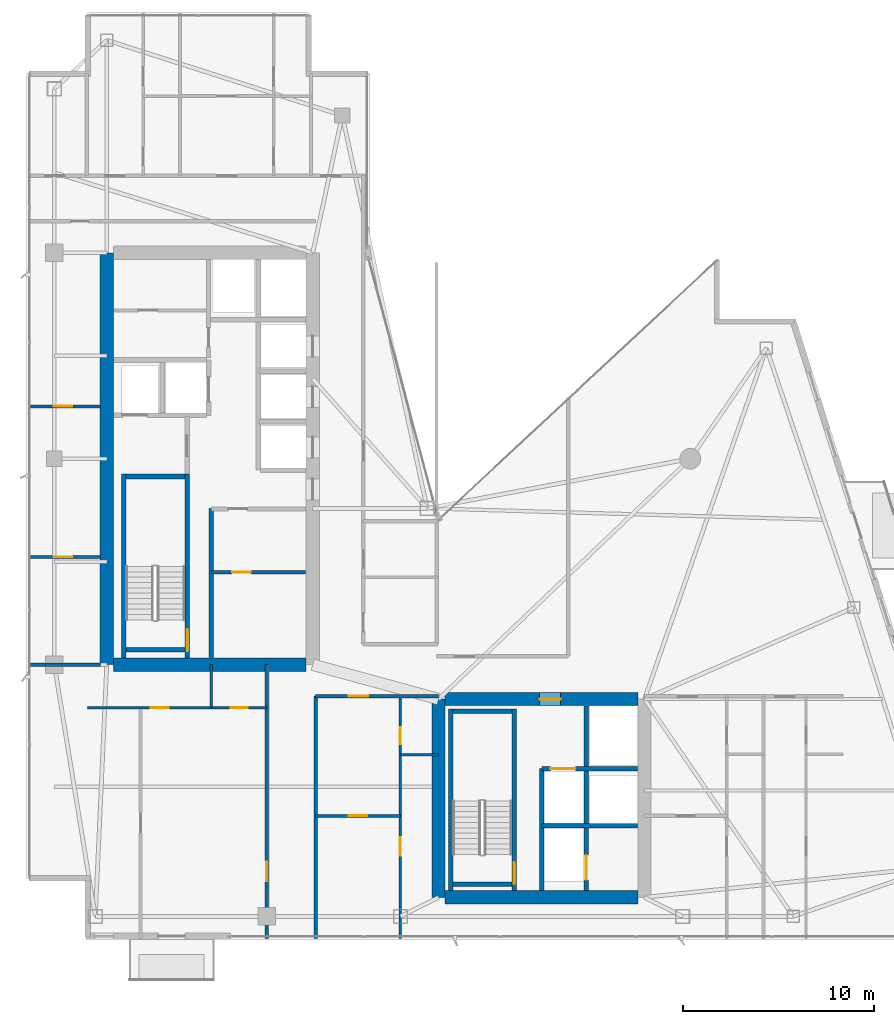
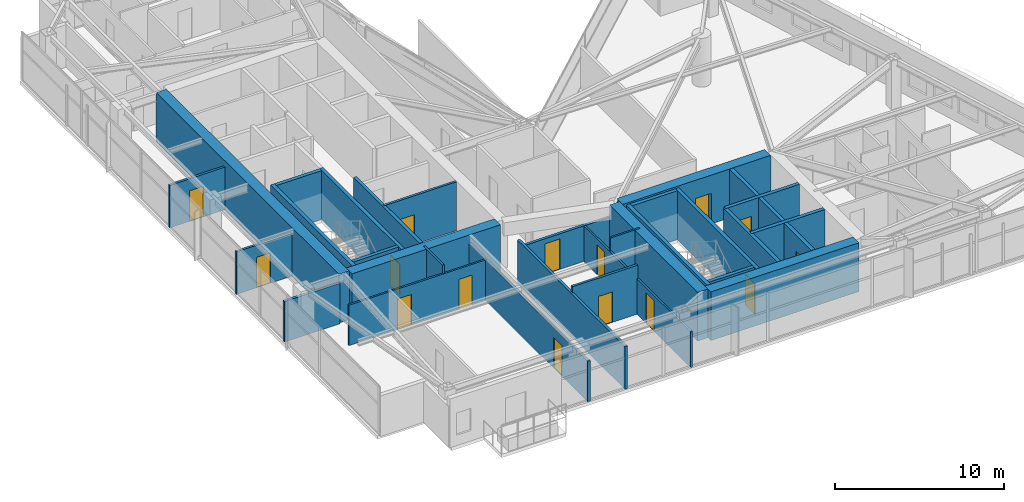
# One storey, part 22 of 27: 30 walls, 15 doors, 15 openings.
"""IFC4 building model written with IfcOpenShell, lengths in metres."""

from ifc_helpers import new_model, si_unit, direction, frame, frame_2d, origin, place, context, subcontext, project, spatial, rectangle, extrude, material, layer, layer_set, type_object, element, fill, save


model = new_model("IFC4")

# Units and contexts
model_context = context("Model", 3, precision=1e-05, world=origin(), true_north=direction((0.0, 1.0)))
body_context = subcontext(model_context, "Body", "Model", "MODEL_VIEW")
ifc_project = project(units=[si_unit("LENGTHUNIT", "METRE"), si_unit("AREAUNIT", "SQUARE_METRE"), si_unit("VOLUMEUNIT", "CUBIC_METRE"), si_unit("PLANEANGLEUNIT", "RADIAN"), si_unit("MASSUNIT", "GRAM", prefix="KILO")], contexts=[model_context])

# Site, building, storey
site_placement = place(None, origin())
site = spatial("IfcSite", under=ifc_project, at=site_placement, CompositionType="ELEMENT")
building_placement = place(site_placement, origin())
building = spatial("IfcBuilding", under=site, at=building_placement, Name="Calvorn Quay Hotel", CompositionType="ELEMENT")
storey_placement = place(building_placement, frame((0.0, 0.0, 230.699951171875)))
storey = spatial("IfcBuildingStorey", under=building, at=storey_placement, Name="L57", CompositionType="ELEMENT", Elevation=230.699951171875)

# Walls
ifc_material_1 = material(Name="Concrete C45", Category="concrete")
ifc_layer_1 = layer(ifc_material_1, 0.699951171875)
ifc_layer_set_1 = layer_set([ifc_layer_1], Name="WL-CORE-700")
wall_type_1 = type_object("IfcWallType", Name="WL-CORE-700", PredefinedType="SHEAR", material=ifc_layer_set_1)
wall_1_placement = place(storey_placement, frame((4.199951171875, 16.800048828125, 0.0), z_axis=(0.0, 0.0, 1.0), x_axis=(0.0, 1.0, 0.0)))
element("IfcWall", 1, at=wall_1_placement, inside=storey, type_object=wall_type_1, Name="West Core Shear Wall W (L57)", PredefinedType="SHEAR", context=body_context, shape_type="SweptSolid", body=[
    extrude(rectangle(XDim=21.599853515625, YDim=0.699951171875, at=frame_2d((10.7998046875, 0.0))), origin(), (0.0, 0.0, 1.0), 3.52001953125),
])
wall_2_placement = place(storey_placement, frame((4.550048828125, 16.800048828125, 0.0), z_axis=(0.0, 0.0, 1.0), x_axis=(1.0, 0.0, 0.0)))
element("IfcWall", 2, at=wall_2_placement, inside=storey, type_object=wall_type_1, Name="West Core Shear Wall S (L57)", PredefinedType="SHEAR", context=body_context, shape_type="SweptSolid", body=[
    extrude(rectangle(XDim=10.099853515625, YDim=0.699951171875, at=frame_2d((5.0498046875, 0.0))), origin(), (0.0, 0.0, 1.0), 3.52001953125),
])
wall_3_placement = place(storey_placement, frame((21.60009765625, 4.60009765625, 0.0), z_axis=(0.0, 0.0, 1.0), x_axis=(0.0, 1.0, 0.0)))
element("IfcWall", 3, at=wall_3_placement, inside=storey, type_object=wall_type_1, Name="East Core Shear Wall W (L57)", PredefinedType="SHEAR", context=body_context, shape_type="SweptSolid", body=[
    extrude(rectangle(XDim=10.39990234375, YDim=0.699951171875, at=frame_2d((5.199951171875, 0.0))), origin(), (0.0, 0.0, 1.0), 3.52001953125),
])

# Wall, opening, door
wall_4_placement = place(storey_placement, frame((21.949951171875, 15.0, 0.0), z_axis=(0.0, 0.0, 1.0), x_axis=(1.0, 0.0, 0.0)))
wall_4 = element("IfcWall", 4, at=wall_4_placement, inside=storey, type_object=wall_type_1, Name="East Core Shear Wall N (L57)", PredefinedType="SHEAR", context=body_context, shape_type="SweptSolid", body=[
    extrude(rectangle(XDim=10.10009765625, YDim=0.699951171875, at=frame_2d((5.050048828125, 0.0))), origin(), (0.0, 0.0, 1.0), 3.52001953125),
])
opening_1_placement = place(wall_4_placement, frame((4.949951171875, 0.0, 0.0)))
opening_1 = element("IfcOpeningElement", 5, at=opening_1_placement, cuts=wall_4, Name="Opening D-L57-FLE", PredefinedType="OPENING", context=body_context, shape_type="SweptSolid", body=[
    extrude(rectangle(XDim=1.10009765625, YDim=2.199951171875, at=frame_2d((0.550048828125, 1.10009765625))), frame((0.0, 0.35986328125, 0.0), z_axis=(0.0, -1.0, 0.0), x_axis=(1.0, 0.0, 0.0)), (0.0, 0.0, 1.0), 0.719970703125),
])
ifc_material_2 = material(Name="Smoke-Sealed Steel Class A Fire Door", Category="steel")
door_type_1 = type_object("IfcDoorType", Name="DR-FFLOBBY-1100", OperationType="NOTDEFINED", PredefinedType="DOOR", material=ifc_material_2)
door_1_placement = place(opening_1_placement, origin())
door_1 = element("IfcDoor", 6, at=door_1_placement, inside=storey, type_object=door_type_1, Name="East Firefighting Lobby Fire Door (L57)", OperationType="SINGLE_SWING_LEFT", OverallHeight=2.199951171875, OverallWidth=1.10009765625, PredefinedType="DOOR", context=body_context, shape_type="SweptSolid", body=[
    extrude(rectangle(XDim=1.10009765625, YDim=2.199951171875, at=frame_2d((0.550048828125, 1.10009765625))), frame((0.0, 0.02490234375, 0.0), z_axis=(0.0, -1.0, 0.0), x_axis=(1.0, 0.0, 0.0)), (0.0, 0.0, 1.0), 0.050048828125),
])
fill(opening_1, door_1)

# Walls
wall_5_placement = place(storey_placement, frame((21.949951171875, 4.60009765625, 0.0), z_axis=(0.0, 0.0, 1.0), x_axis=(1.0, 0.0, 0.0)))
element("IfcWall", 7, at=wall_5_placement, inside=storey, type_object=wall_type_1, Name="East Core Shear Wall S (L57)", PredefinedType="SHEAR", context=body_context, shape_type="SweptSolid", body=[
    extrude(rectangle(XDim=10.10009765625, YDim=0.699951171875, at=frame_2d((5.050048828125, 0.0))), origin(), (0.0, 0.0, 1.0), 3.52001953125),
])
ifc_material_3 = material(Name="Acoustic Fireboard Steel-Stud Partition", Category="steel")
ifc_layer_2 = layer(ifc_material_3, 0.179931640625)
ifc_layer_set_2 = layer_set([ifc_layer_2], Name="WL-CORR-FIRE-180")
wall_type_2 = type_object("IfcWallType", Name="WL-CORR-FIRE-180", PredefinedType="PARTITIONING", material=ifc_layer_set_2)
wall_6_placement = place(storey_placement, frame((0.080078125, 16.800048828125, 0.0), z_axis=(0.0, 0.0, 1.0), x_axis=(1.0, 0.0, 0.0)))
element("IfcWall", 8, at=wall_6_placement, inside=storey, type_object=wall_type_2, Name="Partition Wall L57-WL-WBAY-S-WALL", PredefinedType="PARTITIONING", context=body_context, shape_type="SweptSolid", body=[
    extrude(rectangle(XDim=3.7998046875, YDim=0.179931640625, at=frame_2d((1.89990234375, 0.0))), origin(), (0.0, 0.0, 1.0), 2.920166015625),
])

# Wall, opening, door
wall_7_placement = place(storey_placement, frame((12.60009765625, 2.43994140625, 0.0), z_axis=(0.0, 0.0, 1.0), x_axis=(0.0, 1.0, 0.0)))
wall_7 = element("IfcWall", 9, at=wall_7_placement, inside=storey, type_object=wall_type_2, Name="Partition Wall L57-WL-CORR-SW-LEG-W", PredefinedType="PARTITIONING", context=body_context, shape_type="SweptSolid", body=[
    extrude(rectangle(XDim=14.360107421875, YDim=0.179931640625, at=frame_2d((7.18017578125, 0.0))), origin(), (0.0, 0.0, 1.0), 2.920166015625),
])
opening_2_placement = place(wall_7_placement, frame((3.010009765625, 0.0, 0.0)))
opening_2 = element("IfcOpeningElement", 10, at=opening_2_placement, cuts=wall_7, Name="Opening D-L57-U01", PredefinedType="OPENING", context=body_context, shape_type="SweptSolid", body=[
    extrude(rectangle(XDim=1.02001953125, YDim=2.199951171875, at=frame_2d((0.510009765625, 1.10009765625))), frame((0.0, 0.099853515625, 0.0), z_axis=(0.0, -1.0, 0.0), x_axis=(1.0, 0.0, 0.0)), (0.0, 0.0, 1.0), 0.199951171875),
])
ifc_material_4 = material(Name="Solid-Core Walnut Veneer Hotel Fire Door")
door_type_2 = type_object("IfcDoorType", Name="DR-GUEST-ENTRY-1020", OperationType="NOTDEFINED", PredefinedType="DOOR", material=ifc_material_4)
door_2_placement = place(opening_2_placement, origin())
door_2 = element("IfcDoor", 11, at=door_2_placement, inside=storey, type_object=door_type_2, Name="South-West Unit Door U01 (L57)", OperationType="SINGLE_SWING_LEFT", OverallHeight=2.199951171875, OverallWidth=1.02001953125, PredefinedType="DOOR", context=body_context, shape_type="SweptSolid", body=[
    extrude(rectangle(XDim=1.02001953125, YDim=2.199951171875, at=frame_2d((0.510009765625, 1.10009765625))), frame((0.0, 0.02490234375, 0.0), z_axis=(0.0, -1.0, 0.0), x_axis=(1.0, 0.0, 0.0)), (0.0, 0.0, 1.0), 0.050048828125),
])
fill(opening_2, door_2)

# Wall
wall_8_placement = place(storey_placement, frame((15.14990234375, 2.43994140625, 0.0), z_axis=(0.0, 0.0, 1.0), x_axis=(0.0, 1.0, 0.0)))
element("IfcWall", 12, at=wall_8_placement, inside=storey, type_object=wall_type_2, Name="Partition Wall L57-WL-CORR-SW-W", PredefinedType="PARTITIONING", context=body_context, shape_type="SweptSolid", body=[
    extrude(rectangle(XDim=12.7099609375, YDim=0.179931640625, at=frame_2d((6.35498046875, 0.0))), origin(), (0.0, 0.0, 1.0), 3.070068359375),
])

# Wall, opening, door
wall_9_placement = place(storey_placement, frame((15.14990234375, 15.14990234375, 0.0), z_axis=(0.0, 0.0, 1.0), x_axis=(1.0, 0.0, 0.0)))
wall_9 = element("IfcWall", 13, at=wall_9_placement, inside=storey, type_object=wall_type_2, Name="Partition Wall L57-WL-SC-CORR-S", PredefinedType="PARTITIONING", context=body_context, shape_type="SweptSolid", body=[
    extrude(rectangle(XDim=6.4501953125, YDim=0.179931640625, at=frame_2d((3.22509765625, 0.0))), origin(), (0.0, 0.0, 1.0), 2.570068359375),
])
opening_3_placement = place(wall_9_placement, frame((1.739990234375, 0.0, 0.0)))
opening_3 = element("IfcOpeningElement", 14, at=opening_3_placement, cuts=wall_9, Name="Opening D-L57-U02", PredefinedType="OPENING", context=body_context, shape_type="SweptSolid", body=[
    extrude(rectangle(XDim=1.02001953125, YDim=2.199951171875, at=frame_2d((0.510009765625, 1.10009765625))), frame((0.0, 0.099853515625, 0.0), z_axis=(0.0, -1.0, 0.0), x_axis=(1.0, 0.0, 0.0)), (0.0, 0.0, 1.0), 0.199951171875),
])
door_3_placement = place(opening_3_placement, origin())
door_3 = element("IfcDoor", 15, at=door_3_placement, inside=storey, type_object=door_type_2, Name="Harbour Central Unit Door (L57)", OperationType="SINGLE_SWING_LEFT", OverallHeight=2.199951171875, OverallWidth=1.02001953125, PredefinedType="DOOR", context=body_context, shape_type="SweptSolid", body=[
    extrude(rectangle(XDim=1.02001953125, YDim=2.199951171875, at=frame_2d((0.510009765625, 1.10009765625))), frame((0.0, 0.02490234375, 0.0), z_axis=(0.0, -1.0, 0.0), x_axis=(1.0, 0.0, 0.0)), (0.0, 0.0, 1.0), 0.050048828125),
])
fill(opening_3, door_3)

# Wall
ifc_material_5 = material(Name="Moisture-Resistant Tile-Backed Partition")
ifc_layer_3 = layer(ifc_material_5, 0.125)
ifc_layer_set_3 = layer_set([ifc_layer_3], Name="WL-ENSUITE-125")
wall_type_3 = type_object("IfcWallType", Name="WL-ENSUITE-125", PredefinedType="PARTITIONING", material=ifc_layer_set_3)
wall_10_placement = place(storey_placement, frame((9.679931640625, 14.550048828125, 0.0), z_axis=(0.0, 0.0, 1.0), x_axis=(0.0, 1.0, 0.0)))
element("IfcWall", 16, at=wall_10_placement, inside=storey, type_object=wall_type_3, Name="Partition Wall L57-WL-U01-BDV", PredefinedType="PARTITIONING", context=body_context, shape_type="SweptSolid", body=[
    extrude(rectangle(XDim=2.25, YDim=0.125, at=frame_2d((1.125, 0.0))), origin(), (0.0, 0.0, 1.0), 3.52001953125),
])

# Wall, openings, doors
wall_11_placement = place(storey_placement, frame((3.199951171875, 14.550048828125, 0.0), z_axis=(0.0, 0.0, 1.0), x_axis=(1.0, 0.0, 0.0)))
wall_11 = element("IfcWall", 17, at=wall_11_placement, inside=storey, type_object=wall_type_3, Name="Partition Wall L57-WL-U01-BH", PredefinedType="PARTITIONING", context=body_context, shape_type="SweptSolid", body=[
    extrude(rectangle(XDim=9.400146484375, YDim=0.125, at=frame_2d((4.7001953125, 0.0))), origin(), (0.0, 0.0, 1.0), 2.920166015625),
])
opening_4_placement = place(wall_11_placement, frame((3.300048828125, 0.0, 0.0)))
opening_4 = element("IfcOpeningElement", 18, at=opening_4_placement, cuts=wall_11, Name="Opening D-L57-S01", PredefinedType="OPENING", context=body_context, shape_type="SweptSolid", body=[
    extrude(rectangle(XDim=0.9599609375, YDim=2.199951171875, at=frame_2d((0.47998046875, 1.10009765625))), frame((0.0, 0.072509765625, 0.0), z_axis=(0.0, -1.0, 0.0), x_axis=(1.0, 0.0, 0.0)), (0.0, 0.0, 1.0), 0.14501953125),
])
opening_5_placement = place(wall_11_placement, frame((7.489990234375, 0.0, 0.0)))
opening_5 = element("IfcOpeningElement", 19, at=opening_5_placement, cuts=wall_11, Name="Opening D-L57-E01", PredefinedType="OPENING", context=body_context, shape_type="SweptSolid", body=[
    extrude(rectangle(XDim=0.89990234375, YDim=2.14990234375, at=frame_2d((0.449951171875, 1.074951171875))), frame((0.0, 0.072509765625, 0.0), z_axis=(0.0, -1.0, 0.0), x_axis=(1.0, 0.0, 0.0)), (0.0, 0.0, 1.0), 0.14501953125),
])
ifc_material_6 = material(Name="Moisture-Sealed Timber En-Suite Door", Category="wood")
door_type_3 = type_object("IfcDoorType", Name="DR-ENSUITE-900", OperationType="NOTDEFINED", PredefinedType="DOOR", material=ifc_material_6)
door_4_placement = place(opening_5_placement, origin())
door_4 = element("IfcDoor", 20, at=door_4_placement, inside=storey, type_object=door_type_3, Name="En-Suite Door 01", OperationType="SINGLE_SWING_RIGHT", OverallHeight=2.14990234375, OverallWidth=0.89990234375, PredefinedType="DOOR", context=body_context, shape_type="SweptSolid", body=[
    extrude(rectangle(XDim=0.89990234375, YDim=2.14990234375, at=frame_2d((0.449951171875, 1.074951171875))), frame((0.0, 0.02490234375, 0.0), z_axis=(0.0, -1.0, 0.0), x_axis=(1.0, 0.0, 0.0)), (0.0, 0.0, 1.0), 0.050048828125),
])
fill(opening_5, door_4)
ifc_material_7 = material(Name="Solid Timber Internal Suite Door", Category="wood")
door_type_4 = type_object("IfcDoorType", Name="DR-SUITE-INT-960", OperationType="NOTDEFINED", PredefinedType="DOOR", material=ifc_material_7)
door_5_placement = place(opening_4_placement, origin())
door_5 = element("IfcDoor", 21, at=door_5_placement, inside=storey, type_object=door_type_4, Name="Spa Therapy Room Door 01", OperationType="SINGLE_SWING_LEFT", OverallHeight=2.199951171875, OverallWidth=0.9599609375, PredefinedType="DOOR", context=body_context, shape_type="SweptSolid", body=[
    extrude(rectangle(XDim=0.9599609375, YDim=2.199951171875, at=frame_2d((0.47998046875, 1.10009765625))), frame((0.0, 0.02490234375, 0.0), z_axis=(0.0, -1.0, 0.0), x_axis=(1.0, 0.0, 0.0)), (0.0, 0.0, 1.0), 0.050048828125),
])
fill(opening_4, door_5)

# Wall
wall_12_placement = place(storey_placement, frame((19.60009765625, 12.070068359375, 0.0), z_axis=(0.0, 0.0, 1.0), x_axis=(1.0, 0.0, 0.0)))
element("IfcWall", 22, at=wall_12_placement, inside=storey, type_object=wall_type_3, Name="Partition Wall L57-WL-U02-BDV", PredefinedType="PARTITIONING", context=body_context, shape_type="SweptSolid", body=[
    extrude(rectangle(XDim=2.0, YDim=0.125, at=frame_2d((1.0, 0.0))), origin(), (0.0, 0.0, 1.0), 3.52001953125),
])

# Wall, openings, doors
wall_13_placement = place(storey_placement, frame((19.60009765625, 2.43994140625, 0.0), z_axis=(0.0, 0.0, 1.0), x_axis=(0.0, 1.0, 0.0)))
wall_13 = element("IfcWall", 23, at=wall_13_placement, inside=storey, type_object=wall_type_3, Name="Partition Wall L57-WL-U02-BV", PredefinedType="PARTITIONING", context=body_context, shape_type="SweptSolid", body=[
    extrude(rectangle(XDim=12.7099609375, YDim=0.125, at=frame_2d((6.35498046875, 0.0))), origin(), (0.0, 0.0, 1.0), 2.570068359375),
])
opening_6_placement = place(wall_13_placement, frame((4.340087890625, 0.0, 0.0)))
opening_6 = element("IfcOpeningElement", 24, at=opening_6_placement, cuts=wall_13, Name="Opening D-L57-S02", PredefinedType="OPENING", context=body_context, shape_type="SweptSolid", body=[
    extrude(rectangle(XDim=0.9599609375, YDim=2.199951171875, at=frame_2d((0.47998046875, 1.10009765625))), frame((0.0, 0.072509765625, 0.0), z_axis=(0.0, -1.0, 0.0), x_axis=(1.0, 0.0, 0.0)), (0.0, 0.0, 1.0), 0.14501953125),
])
opening_7_placement = place(wall_13_placement, frame((10.179931640625, 0.0, 0.0)))
opening_7 = element("IfcOpeningElement", 25, at=opening_7_placement, cuts=wall_13, Name="Opening D-L57-E02", PredefinedType="OPENING", context=body_context, shape_type="SweptSolid", body=[
    extrude(rectangle(XDim=0.89990234375, YDim=2.14990234375, at=frame_2d((0.449951171875, 1.074951171875))), frame((0.0, 0.072509765625, 0.0), z_axis=(0.0, -1.0, 0.0), x_axis=(1.0, 0.0, 0.0)), (0.0, 0.0, 1.0), 0.14501953125),
])
door_6_placement = place(opening_7_placement, origin())
door_6 = element("IfcDoor", 26, at=door_6_placement, inside=storey, type_object=door_type_3, Name="En-Suite Door 02", OperationType="SINGLE_SWING_RIGHT", OverallHeight=2.14990234375, OverallWidth=0.89990234375, PredefinedType="DOOR", context=body_context, shape_type="SweptSolid", body=[
    extrude(rectangle(XDim=0.89990234375, YDim=2.14990234375, at=frame_2d((0.449951171875, 1.074951171875))), frame((0.0, 0.02490234375, 0.0), z_axis=(0.0, -1.0, 0.0), x_axis=(1.0, 0.0, 0.0)), (0.0, 0.0, 1.0), 0.050048828125),
])
fill(opening_7, door_6)
door_7_placement = place(opening_6_placement, origin())
door_7 = element("IfcDoor", 27, at=door_7_placement, inside=storey, type_object=door_type_4, Name="Spa Therapy Room Door 02", OperationType="SINGLE_SWING_LEFT", OverallHeight=2.199951171875, OverallWidth=0.9599609375, PredefinedType="DOOR", context=body_context, shape_type="SweptSolid", body=[
    extrude(rectangle(XDim=0.9599609375, YDim=2.199951171875, at=frame_2d((0.47998046875, 1.10009765625))), frame((0.0, 0.02490234375, 0.0), z_axis=(0.0, -1.0, 0.0), x_axis=(1.0, 0.0, 0.0)), (0.0, 0.0, 1.0), 0.050048828125),
])
fill(opening_6, door_7)

# Wall, opening, door
ifc_material_8 = material(Name="Double-Stud Acoustic Gypsum Partition")
ifc_layer_4 = layer(ifc_material_8, 0.159912109375)
ifc_layer_set_4 = layer_set([ifc_layer_4], Name="WL-INTERSUITE-160")
wall_type_4 = type_object("IfcWallType", Name="WL-INTERSUITE-160", PredefinedType="PARTITIONING", material=ifc_layer_set_4)
wall_14_placement = place(storey_placement, frame((9.679931640625, 21.64990234375, 0.0), z_axis=(0.0, 0.0, 1.0), x_axis=(1.0, 0.0, 0.0)))
wall_14 = element("IfcWall", 28, at=wall_14_placement, inside=storey, type_object=wall_type_4, Name="Partition Wall L57-WL-CWW-FR-SPLIT", PredefinedType="PARTITIONING", context=body_context, shape_type="SweptSolid", body=[
    extrude(rectangle(XDim=4.949951171875, YDim=0.159912109375, at=frame_2d((2.47509765625, 0.0))), origin(), (0.0, 0.0, 1.0), 3.52001953125),
])
opening_8_placement = place(wall_14_placement, frame((1.10009765625, 0.0, 0.0)))
opening_8 = element("IfcOpeningElement", 29, at=opening_8_placement, cuts=wall_14, Name="Opening D-L57-FRL1", PredefinedType="OPENING", context=body_context, shape_type="SweptSolid", body=[
    extrude(rectangle(XDim=0.97998046875, YDim=2.14990234375, at=frame_2d((0.489990234375, 1.074951171875))), frame((0.0, 0.08984375, 0.0), z_axis=(0.0, -1.0, 0.0), x_axis=(1.0, 0.0, 0.0)), (0.0, 0.0, 1.0), 0.179931640625),
])
ifc_material_9 = material(Name="Painted Steel Housekeeping/Riser Fire Door", Category="steel")
door_type_5 = type_object("IfcDoorType", Name="DR-SERVICE-980", OperationType="NOTDEFINED", PredefinedType="DOOR", material=ifc_material_9)
door_8_placement = place(opening_8_placement, origin())
door_8 = element("IfcDoor", 30, at=door_8_placement, inside=storey, type_object=door_type_5, Name="Linen Store Room Door (L57)", OperationType="SINGLE_SWING_LEFT", OverallHeight=2.14990234375, OverallWidth=0.97998046875, PredefinedType="DOOR", context=body_context, shape_type="SweptSolid", body=[
    extrude(rectangle(XDim=0.97998046875, YDim=2.14990234375, at=frame_2d((0.489990234375, 1.074951171875))), frame((0.0, 0.02490234375, 0.0), z_axis=(0.0, -1.0, 0.0), x_axis=(1.0, 0.0, 0.0)), (0.0, 0.0, 1.0), 0.050048828125),
])
fill(opening_8, door_8)

wall_15_placement = place(storey_placement, frame((0.080078125, 22.449951171875, 0.0), z_axis=(0.0, 0.0, 1.0), x_axis=(1.0, 0.0, 0.0)))
wall_15 = element("IfcWall", 31, at=wall_15_placement, inside=storey, type_object=wall_type_4, Name="Partition Wall L57-WL-WBAY-DIVA", PredefinedType="PARTITIONING", context=body_context, shape_type="SweptSolid", body=[
    extrude(rectangle(XDim=3.7998046875, YDim=0.159912109375, at=frame_2d((1.89990234375, 0.0))), origin(), (0.0, 0.0, 1.0), 3.070068359375),
])
opening_9_placement = place(wall_15_placement, frame((1.35009765625, 0.0, 0.0)))
opening_9 = element("IfcOpeningElement", 32, at=opening_9_placement, cuts=wall_15, Name="Opening D-L57-WBA", PredefinedType="OPENING", context=body_context, shape_type="SweptSolid", body=[
    extrude(rectangle(XDim=0.9599609375, YDim=2.199951171875, at=frame_2d((0.47998046875, 1.10009765625))), frame((0.0, 0.08984375, 0.0), z_axis=(0.0, -1.0, 0.0), x_axis=(1.0, 0.0, 0.0)), (0.0, 0.0, 1.0), 0.179931640625),
])
door_9_placement = place(opening_9_placement, origin())
door_9 = element("IfcDoor", 33, at=door_9_placement, inside=storey, type_object=door_type_4, Name="West South Connecting Door (L57)", OperationType="SINGLE_SWING_LEFT", OverallHeight=2.199951171875, OverallWidth=0.9599609375, PredefinedType="DOOR", context=body_context, shape_type="SweptSolid", body=[
    extrude(rectangle(XDim=0.9599609375, YDim=2.199951171875, at=frame_2d((0.47998046875, 1.10009765625))), frame((0.0, 0.02490234375, 0.0), z_axis=(0.0, -1.0, 0.0), x_axis=(1.0, 0.0, 0.0)), (0.0, 0.0, 1.0), 0.050048828125),
])
fill(opening_9, door_9)

wall_16_placement = place(storey_placement, frame((0.080078125, 30.35009765625, 0.0), z_axis=(0.0, 0.0, 1.0), x_axis=(1.0, 0.0, 0.0)))
wall_16 = element("IfcWall", 34, at=wall_16_placement, inside=storey, type_object=wall_type_4, Name="Partition Wall L57-WL-WBAY-DIVB", PredefinedType="PARTITIONING", context=body_context, shape_type="SweptSolid", body=[
    extrude(rectangle(XDim=3.7998046875, YDim=0.159912109375, at=frame_2d((1.89990234375, 0.0))), origin(), (0.0, 0.0, 1.0), 3.070068359375),
])
opening_10_placement = place(wall_16_placement, frame((1.35009765625, 0.0, 0.0)))
opening_10 = element("IfcOpeningElement", 35, at=opening_10_placement, cuts=wall_16, Name="Opening D-L57-WBB", PredefinedType="OPENING", context=body_context, shape_type="SweptSolid", body=[
    extrude(rectangle(XDim=0.9599609375, YDim=2.199951171875, at=frame_2d((0.47998046875, 1.10009765625))), frame((0.0, 0.08984375, 0.0), z_axis=(0.0, -1.0, 0.0), x_axis=(1.0, 0.0, 0.0)), (0.0, 0.0, 1.0), 0.179931640625),
])
door_10_placement = place(opening_10_placement, origin())
door_10 = element("IfcDoor", 36, at=door_10_placement, inside=storey, type_object=door_type_4, Name="West North Connecting Door (L57)", OperationType="SINGLE_SWING_RIGHT", OverallHeight=2.199951171875, OverallWidth=0.9599609375, PredefinedType="DOOR", context=body_context, shape_type="SweptSolid", body=[
    extrude(rectangle(XDim=0.9599609375, YDim=2.199951171875, at=frame_2d((0.47998046875, 1.10009765625))), frame((0.0, 0.02490234375, 0.0), z_axis=(0.0, -1.0, 0.0), x_axis=(1.0, 0.0, 0.0)), (0.0, 0.0, 1.0), 0.050048828125),
])
fill(opening_10, door_10)

wall_17_placement = place(storey_placement, frame((15.14990234375, 8.8701171875, 0.0), z_axis=(0.0, 0.0, 1.0), x_axis=(1.0, 0.0, 0.0)))
wall_17 = element("IfcWall", 37, at=wall_17_placement, inside=storey, type_object=wall_type_4, Name="Partition Wall L57-WL-U02-MSP", PredefinedType="PARTITIONING", context=body_context, shape_type="SweptSolid", body=[
    extrude(rectangle(XDim=4.4501953125, YDim=0.159912109375, at=frame_2d((2.22509765625, 0.0))), origin(), (0.0, 0.0, 1.0), 3.52001953125),
])
opening_11_placement = place(wall_17_placement, frame((1.75, 0.0, 0.0)))
opening_11 = element("IfcOpeningElement", 38, at=opening_11_placement, cuts=wall_17, Name="Opening D-L57-M02", PredefinedType="OPENING", context=body_context, shape_type="SweptSolid", body=[
    extrude(rectangle(XDim=0.9599609375, YDim=2.199951171875, at=frame_2d((0.47998046875, 1.10009765625))), frame((0.0, 0.08984375, 0.0), z_axis=(0.0, -1.0, 0.0), x_axis=(1.0, 0.0, 0.0)), (0.0, 0.0, 1.0), 0.179931640625),
])
door_11_placement = place(opening_11_placement, origin())
door_11 = element("IfcDoor", 39, at=door_11_placement, inside=storey, type_object=door_type_4, Name="Suite Bedroom Door 02", OperationType="SINGLE_SWING_LEFT", OverallHeight=2.199951171875, OverallWidth=0.9599609375, PredefinedType="DOOR", context=body_context, shape_type="SweptSolid", body=[
    extrude(rectangle(XDim=0.9599609375, YDim=2.199951171875, at=frame_2d((0.47998046875, 1.10009765625))), frame((0.0, 0.02490234375, 0.0), z_axis=(0.0, -1.0, 0.0), x_axis=(1.0, 0.0, 0.0)), (0.0, 0.0, 1.0), 0.050048828125),
])
fill(opening_11, door_11)

# Walls
ifc_material_10 = material(Name="Autoclaved Aerated Masonry Block", Category="masonry")
ifc_layer_5 = layer(ifc_material_10, 0.219970703125)
ifc_layer_set_5 = layer_set([ifc_layer_5], Name="WL-LOBBY-FIRE-220")
wall_type_5 = type_object("IfcWallType", Name="WL-LOBBY-FIRE-220", PredefinedType="SOLIDWALL", material=ifc_layer_set_5)
wall_18_placement = place(storey_placement, frame((9.679931640625, 17.169921875, 0.0), z_axis=(0.0, 0.0, 1.0), x_axis=(0.0, 1.0, 0.0)))
element("IfcWall", 40, at=wall_18_placement, inside=storey, type_object=wall_type_5, Name="Partition Wall L57-WL-CWW-STW-HALL-E", PredefinedType="SOLIDWALL", context=body_context, shape_type="SweptSolid", body=[
    extrude(rectangle(XDim=7.830078125, YDim=0.219970703125, at=frame_2d((3.9150390625, 0.0))), origin(), (0.0, 0.0, 1.0), 3.52001953125),
])
ifc_material_11 = material(Name="Concrete C40", Category="concrete")
ifc_layer_6 = layer(ifc_material_11, 0.239990234375)
ifc_layer_set_6 = layer_set([ifc_layer_6], Name="WL-SHAFT-240")
wall_type_6 = type_object("IfcWallType", Name="WL-SHAFT-240", PredefinedType="SOLIDWALL", material=ifc_layer_set_6)
wall_19_placement = place(storey_placement, frame((5.080078125, 17.14990234375, 0.0), z_axis=(0.0, 0.0, 1.0), x_axis=(0.0, 1.0, 0.0)))
element("IfcWall", 41, at=wall_19_placement, inside=storey, type_object=wall_type_6, Name="Stair STW Shaft Wall W (L57)", PredefinedType="SOLIDWALL", context=body_context, shape_type="SweptSolid", body=[
    extrude(rectangle(XDim=9.64013671875, YDim=0.239990234375, at=frame_2d((4.820068359375, 0.0))), origin(), (0.0, 0.0, 1.0), 3.52001953125),
])

# Wall, opening, door
wall_20_placement = place(storey_placement, frame((8.419921875, 17.14990234375, 0.0), z_axis=(0.0, 0.0, 1.0), x_axis=(0.0, 1.0, 0.0)))
wall_20 = element("IfcWall", 42, at=wall_20_placement, inside=storey, type_object=wall_type_6, Name="Stair STW Shaft Wall E (L57)", PredefinedType="SOLIDWALL", context=body_context, shape_type="SweptSolid", body=[
    extrude(rectangle(XDim=9.64013671875, YDim=0.239990234375, at=frame_2d((4.820068359375, 0.0))), origin(), (0.0, 0.0, 1.0), 3.52001953125),
])
opening_12_placement = place(wall_20_placement, frame((0.35009765625, 0.0, 0.0)))
opening_12 = element("IfcOpeningElement", 43, at=opening_12_placement, cuts=wall_20, Name="Opening D-L57-STW", PredefinedType="OPENING", context=body_context, shape_type="SweptSolid", body=[
    extrude(rectangle(XDim=1.14990234375, YDim=2.199951171875, at=frame_2d((0.574951171875, 1.10009765625))), frame((0.0, 0.1298828125, 0.0), z_axis=(0.0, -1.0, 0.0), x_axis=(1.0, 0.0, 0.0)), (0.0, 0.0, 1.0), 0.260009765625),
])
ifc_material_12 = material(Name="Galvanised Steel Class A Fire Door", Category="steel")
door_type_6 = type_object("IfcDoorType", Name="DR-STAIR-SMOKE-1150", OperationType="NOTDEFINED", PredefinedType="DOOR", material=ifc_material_12)
door_12_placement = place(opening_12_placement, origin())
door_12 = element("IfcDoor", 44, at=door_12_placement, inside=storey, type_object=door_type_6, Name="Stair ST-W Fire Door (L57)", OperationType="SINGLE_SWING_LEFT", OverallHeight=2.199951171875, OverallWidth=1.14990234375, PredefinedType="DOOR", context=body_context, shape_type="SweptSolid", body=[
    extrude(rectangle(XDim=1.14990234375, YDim=2.199951171875, at=frame_2d((0.574951171875, 1.10009765625))), frame((0.0, 0.02490234375, 0.0), z_axis=(0.0, -1.0, 0.0), x_axis=(1.0, 0.0, 0.0)), (0.0, 0.0, 1.0), 0.050048828125),
])
fill(opening_12, door_12)

# Walls
for number, where, z_axis, x_axis, name in (
    (45, (5.199951171875, 17.580078125, 0.0), (0.0, 0.0, 1.0), (1.0, 0.0, 0.0), "Stair STW Shaft Wall S (L57)"),
    (46, (5.199951171875, 26.669921875, 0.0), (0.0, 0.0, 1.0), (1.0, 0.0, 0.0), "Stair STW Shaft Wall N (L57)"),
):
    element("IfcWall", number, at=place(storey_placement, frame(where, z_axis=z_axis, x_axis=x_axis)), inside=storey, type_object=wall_type_6, Name=name, PredefinedType="SOLIDWALL", context=body_context, shape_type="SweptSolid", body=[
        extrude(rectangle(XDim=3.10009765625, YDim=0.239990234375, at=frame_2d((1.550048828125, 0.0))), origin(), (0.0, 0.0, 1.0), 3.52001953125),
    ])
wall_21_placement = place(storey_placement, frame((22.22998046875, 4.949951171875, 0.0), z_axis=(0.0, 0.0, 1.0), x_axis=(0.0, 1.0, 0.0)))
element("IfcWall", 47, at=wall_21_placement, inside=storey, type_object=wall_type_6, Name="Stair STE Shaft Wall W (L57)", PredefinedType="SOLIDWALL", context=body_context, shape_type="SweptSolid", body=[
    extrude(rectangle(XDim=9.5400390625, YDim=0.239990234375, at=frame_2d((4.77001953125, 0.0))), origin(), (0.0, 0.0, 1.0), 3.52001953125),
])

# Wall, opening, door
wall_22_placement = place(storey_placement, frame((25.570068359375, 4.949951171875, 0.0), z_axis=(0.0, 0.0, 1.0), x_axis=(0.0, 1.0, 0.0)))
wall_22 = element("IfcWall", 48, at=wall_22_placement, inside=storey, type_object=wall_type_6, Name="Stair STE Shaft Wall E (L57)", PredefinedType="SOLIDWALL", context=body_context, shape_type="SweptSolid", body=[
    extrude(rectangle(XDim=9.5400390625, YDim=0.239990234375, at=frame_2d((4.77001953125, 0.0))), origin(), (0.0, 0.0, 1.0), 3.52001953125),
])
opening_13_placement = place(wall_22_placement, frame((0.35009765625, 0.0, 0.0)))
opening_13 = element("IfcOpeningElement", 49, at=opening_13_placement, cuts=wall_22, Name="Opening D-L57-STE", PredefinedType="OPENING", context=body_context, shape_type="SweptSolid", body=[
    extrude(rectangle(XDim=1.14990234375, YDim=2.199951171875, at=frame_2d((0.574951171875, 1.10009765625))), frame((0.0, 0.1298828125, 0.0), z_axis=(0.0, -1.0, 0.0), x_axis=(1.0, 0.0, 0.0)), (0.0, 0.0, 1.0), 0.260009765625),
])
door_13_placement = place(opening_13_placement, origin())
door_13 = element("IfcDoor", 50, at=door_13_placement, inside=storey, type_object=door_type_6, Name="Stair ST-E Fire Door (L57)", OperationType="SINGLE_SWING_RIGHT", OverallHeight=2.199951171875, OverallWidth=1.14990234375, PredefinedType="DOOR", context=body_context, shape_type="SweptSolid", body=[
    extrude(rectangle(XDim=1.14990234375, YDim=2.199951171875, at=frame_2d((0.574951171875, 1.10009765625))), frame((0.0, 0.02490234375, 0.0), z_axis=(0.0, -1.0, 0.0), x_axis=(1.0, 0.0, 0.0)), (0.0, 0.0, 1.0), 0.050048828125),
])
fill(opening_13, door_13)

# Walls
for number, where, z_axis, x_axis, name in (
    (51, (22.35009765625, 5.280029296875, 0.0), (0.0, 0.0, 1.0), (1.0, 0.0, 0.0), "Stair STE Shaft Wall S (L57)"),
    (52, (22.35009765625, 14.3701171875, 0.0), (0.0, 0.0, 1.0), (1.0, 0.0, 0.0), "Stair STE Shaft Wall N (L57)"),
):
    element("IfcWall", number, at=place(storey_placement, frame(where, z_axis=z_axis, x_axis=x_axis)), inside=storey, type_object=wall_type_6, Name=name, PredefinedType="SOLIDWALL", context=body_context, shape_type="SweptSolid", body=[
        extrude(rectangle(XDim=3.099853515625, YDim=0.239990234375, at=frame_2d((1.5498046875, 0.0))), origin(), (0.0, 0.0, 1.0), 3.52001953125),
    ])
wall_23_placement = place(storey_placement, frame((27.02001953125, 4.969970703125, 0.0), z_axis=(0.0, 0.0, 1.0), x_axis=(0.0, 1.0, 0.0)))
element("IfcWall", 53, at=wall_23_placement, inside=storey, type_object=wall_type_6, Name="Partition Wall L57-WL-CWE-SH-W", PredefinedType="SOLIDWALL", context=body_context, shape_type="SweptSolid", body=[
    extrude(rectangle(XDim=6.380126953125, YDim=0.239990234375, at=frame_2d((3.18994140625, 0.0))), origin(), (0.0, 0.0, 1.0), 3.52001953125),
])

# Wall, opening, door
wall_24_placement = place(storey_placement, frame((27.02001953125, 11.35009765625, 0.0), z_axis=(0.0, 0.0, 1.0), x_axis=(1.0, 0.0, 0.0)))
wall_24 = element("IfcWall", 54, at=wall_24_placement, inside=storey, type_object=wall_type_6, Name="Partition Wall L57-WL-CWE-FFL-S", PredefinedType="SOLIDWALL", context=body_context, shape_type="SweptSolid", body=[
    extrude(rectangle(XDim=5.010009765625, YDim=0.239990234375, at=frame_2d((2.5048828125, 0.0))), origin(), (0.0, 0.0, 1.0), 3.52001953125),
])
opening_14_placement = place(wall_24_placement, frame((0.449951171875, 0.0, 0.0)))
opening_14 = element("IfcOpeningElement", 55, at=opening_14_placement, cuts=wall_24, Name="Opening LD-L57-FLE1", PredefinedType="OPENING", context=body_context, shape_type="SweptSolid", body=[
    extrude(rectangle(XDim=1.300048828125, YDim=2.35009765625, at=frame_2d((0.64990234375, 1.175048828125))), frame((0.0, 0.1298828125, 0.0), z_axis=(0.0, -1.0, 0.0), x_axis=(1.0, 0.0, 0.0)), (0.0, 0.0, 1.0), 0.260009765625),
])
ifc_material_13 = material(Name="Champagne-Bronze Sliding Express Lift Landing Door")
door_type_7 = type_object("IfcDoorType", Name="DR-LIFT-SHUTTLE-1300", OperationType="NOTDEFINED", PredefinedType="DOOR", material=ifc_material_13)
door_14_placement = place(opening_14_placement, origin())
door_14 = element("IfcDoor", 56, at=door_14_placement, inside=storey, type_object=door_type_7, Name="Firefighting Lift FL-E1 Landing Door (L57)", OperationType="DOUBLE_DOOR_SLIDING", OverallHeight=2.35009765625, OverallWidth=1.300048828125, PredefinedType="DOOR", context=body_context, shape_type="SweptSolid", body=[
    extrude(rectangle(XDim=1.300048828125, YDim=2.35009765625, at=frame_2d((0.64990234375, 1.175048828125))), frame((0.0, 0.02490234375, 0.0), z_axis=(0.0, -1.0, 0.0), x_axis=(1.0, 0.0, 0.0)), (0.0, 0.0, 1.0), 0.050048828125),
])
fill(opening_14, door_14)

# Wall
wall_25_placement = place(storey_placement, frame((27.02001953125, 8.35009765625, 0.0), z_axis=(0.0, 0.0, 1.0), x_axis=(1.0, 0.0, 0.0)))
element("IfcWall", 57, at=wall_25_placement, inside=storey, type_object=wall_type_6, Name="Partition Wall L57-WL-CWE-SL-N", PredefinedType="SOLIDWALL", context=body_context, shape_type="SweptSolid", body=[
    extrude(rectangle(XDim=5.010009765625, YDim=0.239990234375, at=frame_2d((2.5048828125, 0.0))), origin(), (0.0, 0.0, 1.0), 3.52001953125),
])

# Wall, opening, door
wall_26_placement = place(storey_placement, frame((29.35009765625, 4.969970703125, 0.0), z_axis=(0.0, 0.0, 1.0), x_axis=(0.0, 1.0, 0.0)))
wall_26 = element("IfcWall", 58, at=wall_26_placement, inside=storey, type_object=wall_type_6, Name="Partition Wall L57-WL-CWE-OB-W", PredefinedType="SOLIDWALL", context=body_context, shape_type="SweptSolid", body=[
    extrude(rectangle(XDim=9.659912109375, YDim=0.239990234375, at=frame_2d((4.830078125, 0.0))), origin(), (0.0, 0.0, 1.0), 3.52001953125),
])
opening_15_placement = place(wall_26_placement, frame((0.550048828125, 0.0, 0.0)))
opening_15 = element("IfcOpeningElement", 59, at=opening_15_placement, cuts=wall_26, Name="Opening LD-L57-SLEI", PredefinedType="OPENING", context=body_context, shape_type="SweptSolid", body=[
    extrude(rectangle(XDim=1.300048828125, YDim=2.35009765625, at=frame_2d((0.64990234375, 1.175048828125))), frame((0.0, 0.1298828125, 0.0), z_axis=(0.0, -1.0, 0.0), x_axis=(1.0, 0.0, 0.0)), (0.0, 0.0, 1.0), 0.260009765625),
])
door_15_placement = place(opening_15_placement, origin())
door_15 = element("IfcDoor", 60, at=door_15_placement, inside=storey, type_object=door_type_7, Name="Service Lift SL-E1 Landing Door (L57)", OperationType="DOUBLE_DOOR_SLIDING", OverallHeight=2.35009765625, OverallWidth=1.300048828125, PredefinedType="DOOR", context=body_context, shape_type="SweptSolid", body=[
    extrude(rectangle(XDim=1.300048828125, YDim=2.35009765625, at=frame_2d((0.64990234375, 1.175048828125))), frame((0.0, 0.02490234375, 0.0), z_axis=(0.0, -1.0, 0.0), x_axis=(1.0, 0.0, 0.0)), (0.0, 0.0, 1.0), 0.050048828125),
])
fill(opening_15, door_15)

save(model, "model.ifc")
